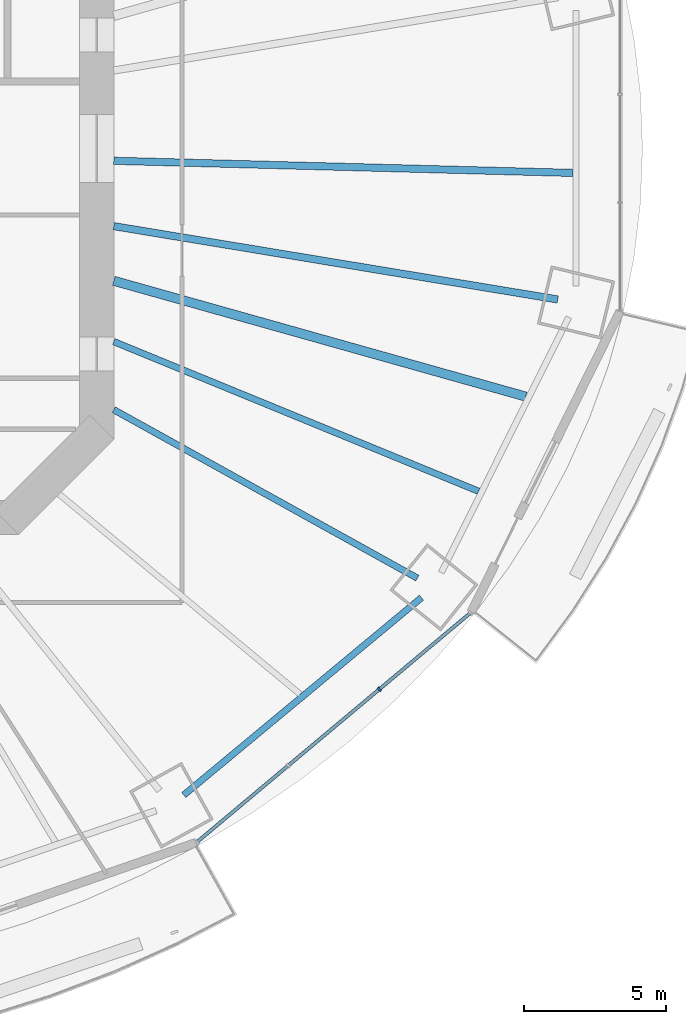
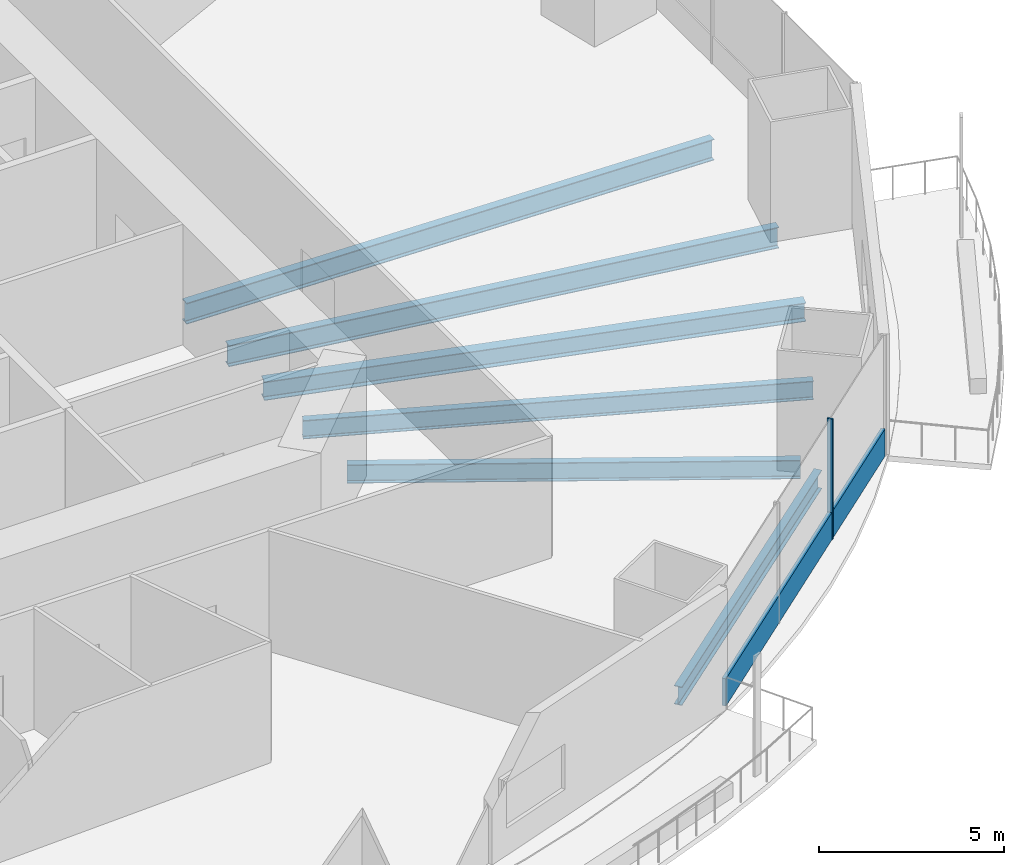
# One storey, part 5 of 22: 6 beams, 2 members, 1 element without a shape of its own.
"""IFC4 building model written with IfcOpenShell, lengths in metres."""

import ifcopenshell
import ifcopenshell.guid

model = None  # the IFC model being written
_history = None  # IfcOwnerHistory: only IFC2X3 demands one
_inside = {}  # id of a spatial element -> (the spatial element, [elements in it])
_under = {}  # id of a project, library or spatial element -> (it, [spatial elements below it])
_declared = {}  # id of a project -> (the project, [libraries it declares])
_typed = {}  # id of a type object -> (the type object, [elements of that type])
_made_of = {}  # id of a material, layer set ... -> (it, [elements and type objects made of it])


def new_model(schema):
    """Start an empty IFC model of exactly this schema.

    Asked for "IFC4X3", IfcOpenShell would pick the latest addendum, in which some entities
    have other attributes; the version numbers below select the first issue.
    IFC2X3 requires an IfcOwnerHistory on every rooted entity: one is made here for all.
    """
    global model, _history
    if schema == "IFC4X3":
        model = ifcopenshell.file(schema_version=(4, 3, 0, 0))
    else:
        model = ifcopenshell.file(schema=schema)
    _inside.clear()
    _under.clear()
    _declared.clear()
    _typed.clear()
    _made_of.clear()
    _history = None
    if model.schema == "IFC2X3":
        org = make("IfcOrganization", Name="unknown")
        user = make(
            "IfcPersonAndOrganization",
            ThePerson=make("IfcPerson", FamilyName="unknown"),
            TheOrganization=org,
        )
        app = make(
            "IfcApplication",
            ApplicationDeveloper=org,
            Version="unknown",
            ApplicationFullName="unknown",
            ApplicationIdentifier="unknown",
        )
        _history = make(
            "IfcOwnerHistory",
            OwningUser=user,
            OwningApplication=app,
            ChangeAction="ADDED",
            CreationDate=0,
        )
    return model


def make(cls, **values):
    """One entity of the class cls with the attributes given. An attribute that is None is left unset."""
    return model.create_entity(
        cls, **{name: value for name, value in values.items() if value is not None}
    )


def rooted(cls, **values):
    """An entity with a GlobalId (a new one), such as an element, a storey or a relation."""
    return make(cls, GlobalId=ifcopenshell.guid.new(), OwnerHistory=_history, **values)


def si_unit(unit_type, name, prefix=None):
    """IfcSIUnit, for example si_unit("LENGTHUNIT", "METRE", prefix="MILLI")."""
    return make("IfcSIUnit", UnitType=unit_type, Prefix=prefix, Name=name)


def assignment(units):
    """IfcUnitAssignment: the units of a project."""
    return None if units is None else make("IfcUnitAssignment", Units=units)


def point(xyz):
    """IfcCartesianPoint."""
    return None if xyz is None else make("IfcCartesianPoint", Coordinates=xyz)


def direction(xyz):
    """IfcDirection."""
    return None if xyz is None else make("IfcDirection", DirectionRatios=xyz)


def frame(location, z_axis=None, x_axis=None):
    """IfcAxis2Placement3D, a coordinate frame: its origin and axes. An axis left out is left unset."""
    return make(
        "IfcAxis2Placement3D",
        Location=point(location),
        Axis=direction(z_axis),
        RefDirection=direction(x_axis),
    )


def frame_2d(location, x_axis=None):
    """IfcAxis2Placement2D, a coordinate frame in the plane: its origin and x axis."""
    return make(
        "IfcAxis2Placement2D", Location=point(location), RefDirection=direction(x_axis)
    )


def origin():
    """The frame at (0, 0, 0) with its axes left unset."""
    return frame((0.0, 0.0, 0.0))


def origin_2d():
    """The frame at (0, 0) in the plane with its x axis left unset."""
    return frame_2d((0.0, 0.0))


def place(relative_to, where):
    """IfcLocalPlacement: puts the frame where relative to a parent placement (None: the world)."""
    return make(
        "IfcLocalPlacement", PlacementRelTo=relative_to, RelativePlacement=where
    )


def context(
    kind, dimensions, precision=None, world=None, true_north=None, identifier=None
):
    """IfcGeometricRepresentationContext, for example the 3D "Model" context."""
    return make(
        "IfcGeometricRepresentationContext",
        ContextIdentifier=identifier,
        ContextType=kind,
        CoordinateSpaceDimension=dimensions,
        Precision=precision,
        WorldCoordinateSystem=world,
        TrueNorth=true_north,
    )


def subcontext(parent, identifier, kind, view, scale=None):
    """IfcGeometricRepresentationSubContext, for example "Body" below "Model"."""
    return make(
        "IfcGeometricRepresentationSubContext",
        ContextIdentifier=identifier,
        ContextType=kind,
        ParentContext=parent,
        TargetScale=scale,
        TargetView=view,
    )


def project(units=None, contexts=None):
    """IfcProject with its units and contexts."""
    return rooted(
        "IfcProject",
        Name="project",
        RepresentationContexts=contexts,
        UnitsInContext=assignment(units),
    )


def spatial(cls, under=None, at=None, **own):
    """A site, building, storey or space (cls), placed at a placement, below another one or the project."""
    s = rooted(cls, ObjectPlacement=at, **own)
    if under is not None:
        _under.setdefault(under.id(), (under, []))[1].append(s)
    return s


def profile(cls, at=None, kind="AREA", **sizes):
    """A parametric profile (cls). Its sizes go by their IFC names, for example OverallWidth=200.0."""
    return make(cls, ProfileType=kind, Position=at, **sizes)


def rectangle(**sizes):
    """IfcRectangleProfileDef."""
    return profile("IfcRectangleProfileDef", **sizes)


def i_section(**sizes):
    """IfcIShapeProfileDef."""
    return profile("IfcIShapeProfileDef", **sizes)


def extrude(swept, where, along, depth):
    """IfcExtrudedAreaSolid: the profile swept, set in the frame where, extruded along a direction by depth."""
    return make(
        "IfcExtrudedAreaSolid",
        SweptArea=swept,
        Position=where,
        ExtrudedDirection=direction(along),
        Depth=depth,
    )


def shape(context_of_items, identifier, shape_type, items):
    """IfcShapeRepresentation: the items that make up one representation, for example the "Body"."""
    return make(
        "IfcShapeRepresentation",
        ContextOfItems=context_of_items,
        RepresentationIdentifier=identifier,
        RepresentationType=shape_type,
        Items=items,
    )


def material(Name=None, Category=None):
    """IfcMaterial."""
    return make("IfcMaterial", Name=Name, Category=Category)


def material_profile(
    of_material, cross_section, Name=None, Category=None, Priority=None
):
    """IfcMaterialProfile: a cross section and its material."""
    return make(
        "IfcMaterialProfile",
        Name=Name,
        Material=of_material,
        Profile=cross_section,
        Priority=Priority,
        Category=Category,
    )


def profile_set(profiles, Name=None, composite=None):
    """IfcMaterialProfileSet."""
    return make(
        "IfcMaterialProfileSet",
        Name=Name,
        MaterialProfiles=profiles,
        CompositeProfile=composite,
    )


def made_of(thing, what):
    """Note that an element or type object is made of a material, layer set ...; save() writes the relation."""
    if what is not None:
        _made_of.setdefault(what.id(), (what, []))[1].append(thing)
    return thing


def type_object(cls, material=None, **own):
    """A type object (cls), such as IfcWallType, which elements share."""
    return made_of(rooted(cls, **own), material)


def element(
    cls,
    number,
    at=None,
    inside=None,
    cuts=None,
    type_object=None,
    material=None,
    context=None,
    identifier="Body",
    shape_type=None,
    held_by="IfcProductDefinitionShape",
    body=None,
    shapes=None,
    **own,
):
    """One element of the class cls, such as IfcWall. Its Tag is "e" and its number.

    at: its placement. inside: the storey or other place that contains it. cuts: it is an
    opening in that element (IfcRelVoidsElement). A single representation is given by context,
    identifier, shape_type and body (its items); several are given by shapes. held_by: the class
    of the entity that holds the representations. save() writes the other relations.
    """
    e = rooted(cls, Tag="e%d" % number, ObjectPlacement=at, **own)
    if body is not None:
        shapes = [shape(context, identifier, shape_type, body)]
    if shapes is not None:
        e.Representation = make(held_by, Representations=shapes)
    if inside is not None:
        _inside.setdefault(inside.id(), (inside, []))[1].append(e)
    if cuts is not None:
        rooted(
            "IfcRelVoidsElement", RelatingBuildingElement=cuts, RelatedOpeningElement=e
        )
    if type_object is not None:
        _typed.setdefault(type_object.id(), (type_object, []))[1].append(e)
    return made_of(e, material)


def aggregate(whole, parts):
    """IfcRelAggregates: a whole, such as a stair, and the parts it consists of."""
    return rooted("IfcRelAggregates", RelatingObject=whole, RelatedObjects=parts)


def save(model, path):
    """Write the relations noted so far, then the file.

    IfcRelAggregates (storeys below a building ...), IfcRelContainedInSpatialStructure (elements
    in a storey), IfcRelDefinesByType, IfcRelAssociatesMaterial and IfcRelDeclares: one each for
    every whole, place, type object, material and project.
    """
    for whole, parts in _under.values():
        aggregate(whole, parts)
    for where, things in _inside.values():
        rooted(
            "IfcRelContainedInSpatialStructure",
            RelatedElements=things,
            RelatingStructure=where,
        )
    for kind, things in _typed.values():
        rooted("IfcRelDefinesByType", RelatedObjects=things, RelatingType=kind)
    for what, things in _made_of.values():
        rooted("IfcRelAssociatesMaterial", RelatedObjects=things, RelatingMaterial=what)
    for by, libraries in _declared.values():
        rooted("IfcRelDeclares", RelatingContext=by, RelatedDefinitions=libraries)
    model.write(path)


model = new_model("IFC4")

# Units and contexts
model_context = context("Model", 3, precision=1e-05, world=origin(), true_north=direction((0.0, 1.0)))
body_context = subcontext(model_context, "Body", "Model", "MODEL_VIEW")
ifc_project = project(units=[si_unit("LENGTHUNIT", "METRE"), si_unit("AREAUNIT", "SQUARE_METRE"), si_unit("VOLUMEUNIT", "CUBIC_METRE"), si_unit("PLANEANGLEUNIT", "RADIAN"), si_unit("MASSUNIT", "GRAM", prefix="KILO")], contexts=[model_context])

# Site, building, storey
site_placement = place(None, origin())
site = spatial("IfcSite", under=ifc_project, at=site_placement, CompositionType="ELEMENT")
building_placement = place(site_placement, origin())
building = spatial("IfcBuilding", under=site, at=building_placement, Name="Marenthal Gate Tower", CompositionType="ELEMENT")
storey_placement = place(building_placement, frame((0.0, 0.0, 82.800048828125)))
storey = spatial("IfcBuildingStorey", under=building, at=storey_placement, Name="L16", CompositionType="ELEMENT", Elevation=82.800048828125)

# Curtain wall, members
ifc_material_1 = material(Name="Aluminium and glass", Category="aluminium")
curtain_wall_type = type_object("IfcCurtainWallType", Name="Curtain wall typical low", PredefinedType="NOTDEFINED", material=ifc_material_1)
curtain_wall_placement = place(storey_placement, origin())
curtain_wall = element("IfcCurtainWall", 1, at=curtain_wall_placement, inside=storey, type_object=curtain_wall_type, Name="Curtain wall L16 bay 14", PredefinedType="NOTDEFINED")
ifc_material_2 = material(Name="Aluminium", Category="aluminium")
ifc_material_profile_1 = material_profile(ifc_material_2, rectangle(XDim=0.159912109375, YDim=0.06005859375, at=origin_2d()), Name="60x160 aluminium mullion")
ifc_profile_set_1 = profile_set([ifc_material_profile_1], Name="Aluminium")
member_type_1 = type_object("IfcMemberType", Name="Mullion 60x160 typical low", PredefinedType="MULLION", material=ifc_profile_set_1)
member_1_placement = place(storey_placement, frame((25.95703125, -19.0556640625, 0.0), z_axis=(0.0, 0.0, 1.0), x_axis=(-0.642228281301, 0.766513427604, 0.0)))
member_1 = element("IfcMember", 2, at=member_1_placement, type_object=member_type_1, Name="Mullion L16 bay 14.3", PredefinedType="MULLION", context=body_context, shape_type="SweptSolid", body=[
    extrude(rectangle(XDim=0.159912109375, YDim=0.06005859375, at=origin_2d()), origin(), (0.0, 0.0, 1.0), 3.969970703125),
])
ifc_material_3 = material(Name="Aluminium", Category="aluminium")
ifc_material_profile_2 = material_profile(ifc_material_3, rectangle(XDim=0.1201171875, YDim=0.89990234375, at=origin_2d()), Name="120x900 aluminium transom")
ifc_profile_set_2 = profile_set([ifc_material_profile_2], Name="Aluminium")
member_type_2 = type_object("IfcMemberType", Name="Transom 120x900 typical low", PredefinedType="USERDEFINED", material=ifc_profile_set_2)
member_2_placement = place(storey_placement, frame((19.552490234375, -24.421630859375, 0.449951171875), z_axis=(0.766517626831, 0.642223269399, 0.0), x_axis=(-0.642223269399, 0.766517626831, 0.0)))
member_2 = element("IfcMember", 3, at=member_2_placement, type_object=member_type_2, Name="Transom L16 bay 14", ObjectType="TRANSOM", PredefinedType="USERDEFINED", context=body_context, shape_type="SweptSolid", body=[
    extrude(rectangle(XDim=0.1201171875, YDim=0.89990234375, at=origin_2d()), origin(), (0.0, 0.0, 1.0), 12.517822265625),
])
aggregate(curtain_wall, [member_1, member_2])

# Beams
ifc_material_4 = material(Name="Steel S355", Category="steel")
ifc_material_profile_3 = material_profile(ifc_material_4, i_section(OverallWidth=0.22900390625, OverallDepth=0.612060546875, WebThickness=0.011962890625, FlangeThickness=0.01953125, FilletRadius=0.0126953125, at=origin_2d()), Name="W610X125")
ifc_profile_set_3 = profile_set([ifc_material_profile_3], Name="Steel S355")
beam_type_1 = type_object("IfcBeamType", Name="W610X125 beam", PredefinedType="BEAM", material=ifc_profile_set_3)
beam_1_placement = place(storey_placement, frame((27.296630859375, -15.142333984375, -0.486083984375), z_axis=(-0.874458374023, 0.485100558752, 0.0), x_axis=(-0.485100558752, -0.874458374023, 0.0)))
element("IfcBeam", 4, at=beam_1_placement, inside=storey, type_object=beam_type_1, Name="BM-L16-15", PredefinedType="BEAM", context=body_context, shape_type="SweptSolid", body=[
    extrude(i_section(OverallWidth=0.22900390625, OverallDepth=0.612060546875, WebThickness=0.011962890625, FlangeThickness=0.01953125, FilletRadius=0.0126953125, at=origin_2d()), origin(), (0.0, 0.0, 1.0), 12.232177734375),
])
beam_2_placement = place(storey_placement, frame((29.45068359375, -12.08056640625, -0.486083984375), z_axis=(-0.925188716507, 0.379507363365, 0.0), x_axis=(-0.379507363365, -0.925188716507, 0.0)))
element("IfcBeam", 5, at=beam_2_placement, inside=storey, type_object=beam_type_1, Name="BM-L16-38", PredefinedType="BEAM", context=body_context, shape_type="SweptSolid", body=[
    extrude(i_section(OverallWidth=0.22900390625, OverallDepth=0.612060546875, WebThickness=0.011962890625, FlangeThickness=0.01953125, FilletRadius=0.0126953125, at=origin_2d()), origin(), (0.0, 0.0, 1.0), 13.8896484375),
])
beam_3_placement = place(storey_placement, frame((19.066162109375, -22.783447265625, -0.486083984375), z_axis=(0.769402188258, 0.638764645784, 0.0), x_axis=(-0.638764645784, 0.769402188258, 0.0)))
element("IfcBeam", 6, at=beam_3_placement, inside=storey, type_object=beam_type_1, Name="BM-L16-54", PredefinedType="BEAM", context=body_context, shape_type="SweptSolid", body=[
    extrude(i_section(OverallWidth=0.22900390625, OverallDepth=0.612060546875, WebThickness=0.011962890625, FlangeThickness=0.01953125, FilletRadius=0.0126953125, at=origin_2d()), origin(), (0.0, 0.0, 1.0), 10.884033203125),
])
ifc_material_5 = material(Name="Steel S355", Category="steel")
ifc_material_profile_4 = material_profile(ifc_material_5, i_section(OverallWidth=0.324951171875, OverallDepth=0.612060546875, WebThickness=0.0126953125, FlangeThickness=0.01904296875, FilletRadius=0.0126953125, at=origin_2d()), Name="W610X155")
ifc_profile_set_4 = profile_set([ifc_material_profile_4], Name="Steel S355")
beam_type_2 = type_object("IfcBeamType", Name="W610X155 beam", PredefinedType="BEAM", material=ifc_profile_set_4)
beam_4_placement = place(storey_placement, frame((31.114013671875, -8.74658203125, -0.486083984375), z_axis=(-0.962684828959, 0.270625054443, 0.0), x_axis=(-0.270625054443, -0.962684828959, 0.0)))
element("IfcBeam", 7, at=beam_4_placement, inside=storey, type_object=beam_type_2, Name="BM-L16-39", PredefinedType="BEAM", context=body_context, shape_type="SweptSolid", body=[
    extrude(i_section(OverallWidth=0.324951171875, OverallDepth=0.612060546875, WebThickness=0.0126953125, FlangeThickness=0.01904296875, FilletRadius=0.0126953125, at=origin_2d()), origin(), (0.0, 0.0, 1.0), 15.076416015625),
])
ifc_material_6 = material(Name="Steel S355", Category="steel")
ifc_material_profile_5 = material_profile(ifc_material_6, i_section(OverallWidth=0.257080078125, OverallDepth=0.693115234375, WebThickness=0.014404296875, FlangeThickness=0.023681640625, FilletRadius=0.015380859375, at=origin_2d()), Name="W690X170")
ifc_profile_set_5 = profile_set([ifc_material_profile_5], Name="Steel S355")
beam_type_3 = type_object("IfcBeamType", Name="W690X170 beam", PredefinedType="BEAM", material=ifc_profile_set_5)
beam_5_placement = place(storey_placement, frame((32.242431640625, -5.324462890625, -0.526611328125), z_axis=(-0.986636314494, 0.162937972619, 0.0), x_axis=(-0.162937972619, -0.986636314494, 0.0)))
element("IfcBeam", 8, at=beam_5_placement, inside=storey, type_object=beam_type_3, Name="BM-L16-16", PredefinedType="BEAM", context=body_context, shape_type="SweptSolid", body=[
    extrude(i_section(OverallWidth=0.257080078125, OverallDepth=0.693115234375, WebThickness=0.014404296875, FlangeThickness=0.023681640625, FilletRadius=0.015380859375, at=origin_2d()), origin(), (0.0, 0.0, 1.0), 15.854248046875),
])
beam_6_placement = place(storey_placement, frame((32.78076171875, -0.8662109375, -0.526611328125), z_axis=(-0.999651179151, 0.026410604362, 0.0), x_axis=(-0.026410604362, -0.999651179151, 0.0)))
element("IfcBeam", 9, at=beam_6_placement, inside=storey, type_object=beam_type_3, Name="BM-L16-40", PredefinedType="BEAM", context=body_context, shape_type="SweptSolid", body=[
    extrude(i_section(OverallWidth=0.257080078125, OverallDepth=0.693115234375, WebThickness=0.014404296875, FlangeThickness=0.023681640625, FilletRadius=0.015380859375, at=origin_2d()), origin(), (0.0, 0.0, 1.0), 16.186279296875),
])

save(model, "model.ifc")
